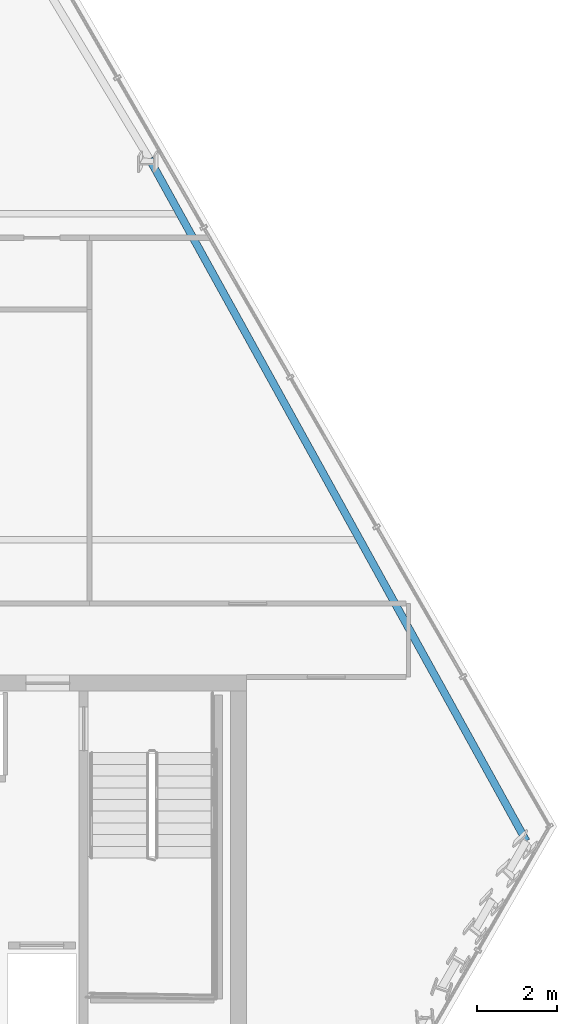
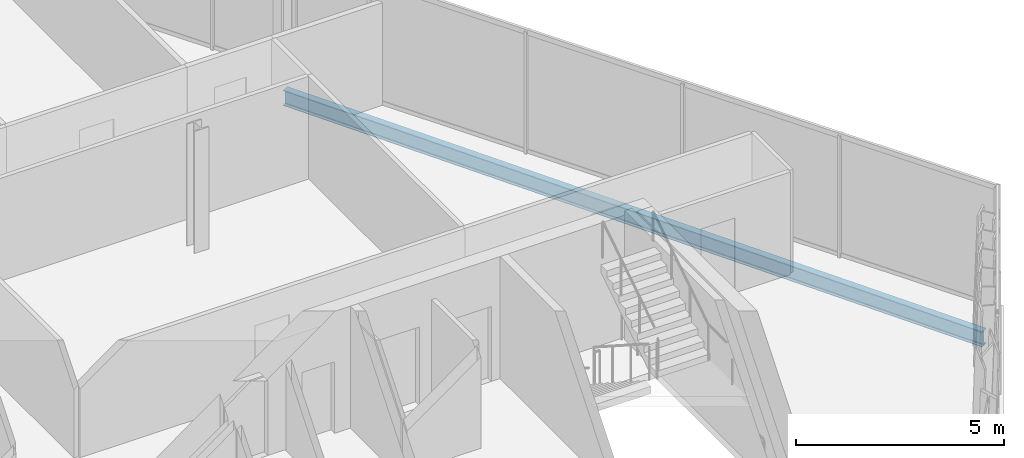
# One storey, part 16 of 29: 1 beam.
"""IFC4 building model written with IfcOpenShell, lengths in metres."""

from ifc_helpers import new_model, si_unit, direction, frame, origin, origin_2d, place, context, subcontext, project, spatial, i_section, extrude, material, material_profile, profile_set, type_object, element, save


model = new_model("IFC4")

# Units and contexts
model_context = context("Model", 3, precision=1e-05, world=origin(), true_north=direction((0.0, 1.0)))
body_context = subcontext(model_context, "Body", "Model", "MODEL_VIEW")
ifc_project = project(units=[si_unit("LENGTHUNIT", "METRE"), si_unit("AREAUNIT", "SQUARE_METRE"), si_unit("VOLUMEUNIT", "CUBIC_METRE"), si_unit("PLANEANGLEUNIT", "RADIAN"), si_unit("MASSUNIT", "GRAM", prefix="KILO")], contexts=[model_context])

# Site, building, storey
site_placement = place(None, origin())
site = spatial("IfcSite", under=ifc_project, at=site_placement, CompositionType="ELEMENT")
building_placement = place(site_placement, origin())
building = spatial("IfcBuilding", under=site, at=building_placement, Name="Ndaravel Arena Tower", CompositionType="ELEMENT")
storey_placement = place(building_placement, frame((0.0, 0.0, 237.0)))
storey = spatial("IfcBuildingStorey", under=building, at=storey_placement, Name="L57", CompositionType="ELEMENT", Elevation=237.0)

# Beam
ifc_material = material(Name="Steel S355", Category="steel")
ifc_material_profile = material_profile(ifc_material, i_section(OverallWidth=0.18994140625, OverallDepth=0.449951171875, WebThickness=0.009521484375, FlangeThickness=0.0146484375, FilletRadius=0.02099609375, at=origin_2d()), Name="IPE 450")
ifc_profile_set = profile_set([ifc_material_profile], Name="Steel S355")
beam_type = type_object("IfcBeamType", Name="BM-SPAN-IPE450", PredefinedType="SPANDREL", material=ifc_profile_set)
beam_placement = place(storey_placement, frame((64.58544921875, 11.025146484375, -0.445068359375), z_axis=(-0.483575124361, 0.875302861357, 0.0), x_axis=(-0.875302861357, -0.483575124361, 0.0)))
element("IfcBeam", 1, at=beam_placement, inside=storey, type_object=beam_type, Name="L57 Perimeter Spandrel Beam SP-09", PredefinedType="SPANDREL", context=body_context, shape_type="SweptSolid", body=[
    extrude(i_section(OverallWidth=0.18994140625, OverallDepth=0.449951171875, WebThickness=0.009521484375, FlangeThickness=0.0146484375, FilletRadius=0.02099609375, at=origin_2d()), origin(), (0.0, 0.0, 1.0), 19.600830078125),
])

save(model, "model.ifc")
